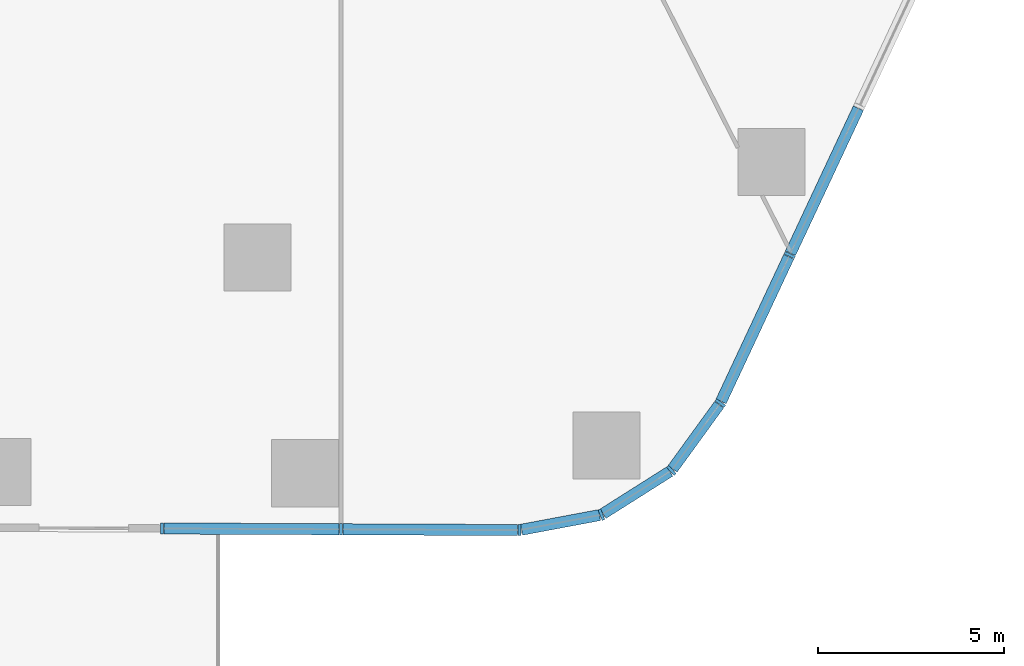
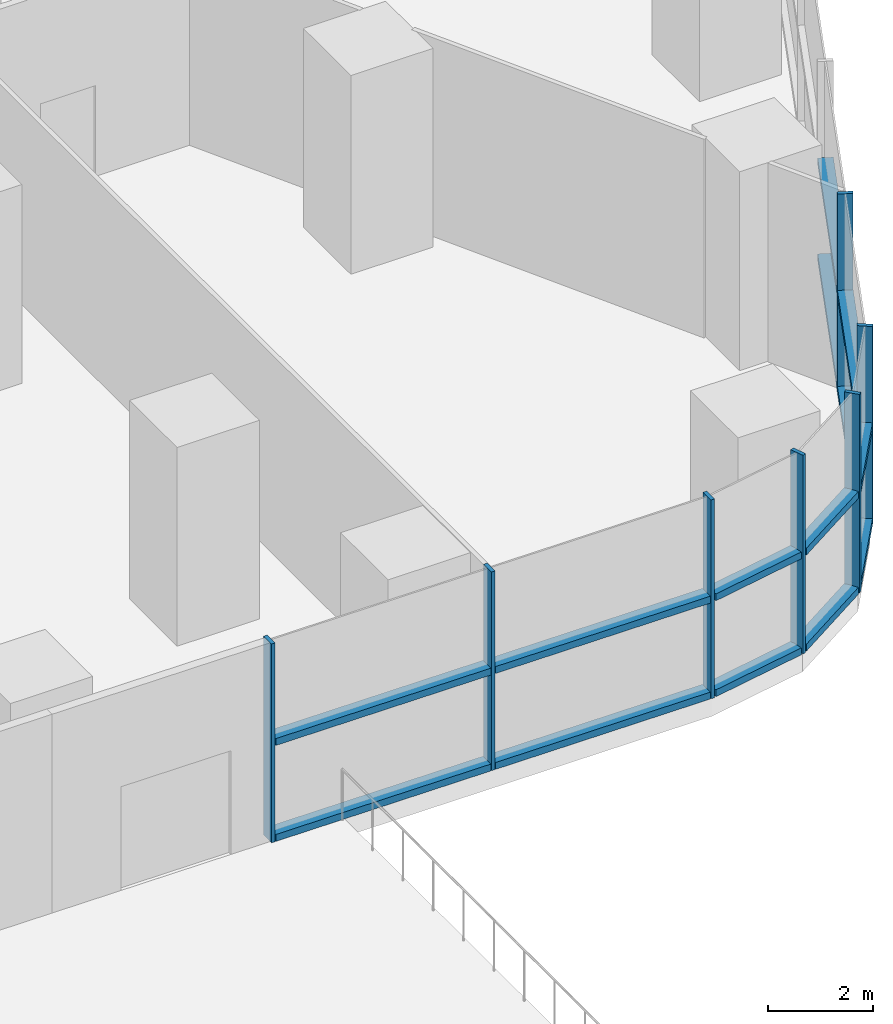
# One storey, part 3 of 15: 21 members, 3 elements without a shape of their own.
"""IFC4 building model written with IfcOpenShell, lengths in metres."""

from ifc_helpers import new_model, si_unit, direction, frame, origin, origin_2d, place, context, subcontext, project, spatial, rectangle, extrude, material, layer, layer_set, material_profile, profile_set, type_object, element, aggregate, save


model = new_model("IFC4")

# Units and contexts
model_context = context("Model", 3, precision=1e-05, world=origin(), true_north=direction((0.0, 1.0)))
body_context = subcontext(model_context, "Body", "Model", "MODEL_VIEW")
ifc_project = project(units=[si_unit("LENGTHUNIT", "METRE"), si_unit("AREAUNIT", "SQUARE_METRE"), si_unit("VOLUMEUNIT", "CUBIC_METRE"), si_unit("PLANEANGLEUNIT", "RADIAN"), si_unit("MASSUNIT", "GRAM", prefix="KILO")], contexts=[model_context])

# Site, building, storey
site_placement = place(None, origin())
site = spatial("IfcSite", under=ifc_project, at=site_placement, CompositionType="ELEMENT")
building_placement = place(site_placement, origin())
building = spatial("IfcBuilding", under=site, at=building_placement, Name="Dongbaek Canopy Tower", CompositionType="ELEMENT")
storey_placement = place(building_placement, frame((0.0, 0.0, 33.0)))
storey = spatial("IfcBuildingStorey", under=building, at=storey_placement, Name="L04", CompositionType="ELEMENT", Elevation=33.0)

# Curtain wall, members
ifc_material_1 = material(Name="Aluminium 6063-T6 pale anodised", Category="aluminium")
ifc_layer = layer(ifc_material_1, 0.300048828125)
ifc_layer_set = layer_set([ifc_layer], Name="CW-2 podium hall curtain wall")
curtain_wall_type = type_object("IfcCurtainWallType", Name="CW-2 podium hall curtain wall", PredefinedType="NOTDEFINED", material=ifc_layer_set)
curtain_wall_1_placement = place(storey_placement, origin())
curtain_wall_1 = element("IfcCurtainWall", 1, at=curtain_wall_1_placement, inside=storey, type_object=curtain_wall_type, Name="CW-2 curtain wall F4.2", PredefinedType="NOTDEFINED")
ifc_material_2 = material(Name="Aluminium 6063-T6 pale anodised", Category="aluminium")
ifc_material_profile_1 = material_profile(ifc_material_2, rectangle(XDim=0.300048828125, YDim=0.080078125, at=origin_2d()), Name="CW-2 mullion 80 x 300")
ifc_profile_set_1 = profile_set([ifc_material_profile_1], Name="Aluminium 6063-T6 pale anodised")
member_type_1 = type_object("IfcMemberType", Name="CW-2 mullion 80 x 300", PredefinedType="MULLION", material=ifc_profile_set_1)
member_1_placement = place(storey_placement, frame((6.44287109375, -34.273193359375, 0.0), z_axis=(0.0, 0.0, 1.0), x_axis=(-0.004466138597, -0.999990026753, 0.0)))
member_1 = element("IfcMember", 2, at=member_1_placement, type_object=member_type_1, Name="CW-2 mullion F4.2.1", PredefinedType="MULLION", context=body_context, shape_type="SweptSolid", body=[
    extrude(rectangle(XDim=0.300048828125, YDim=0.080078125, at=origin_2d()), origin(), (0.0, 0.0, 1.0), 4.60009765625),
])
member_2_placement = place(storey_placement, frame((11.244384765625, -34.294677734375, 0.0), z_axis=(0.0, 0.0, 1.0), x_axis=(-0.004466138597, -0.999990026753, 0.0)))
member_2 = element("IfcMember", 3, at=member_2_placement, type_object=member_type_1, Name="CW-2 mullion F4.2.2", PredefinedType="MULLION", context=body_context, shape_type="SweptSolid", body=[
    extrude(rectangle(XDim=0.300048828125, YDim=0.080078125, at=origin_2d()), origin(), (0.0, 0.0, 1.0), 4.60009765625),
])
member_3_placement = place(storey_placement, frame((16.03662109375, -34.31591796875, 0.0), z_axis=(0.0, 0.0, 1.0), x_axis=(-0.004466138597, -0.999990026753, 0.0)))
member_3 = element("IfcMember", 4, at=member_3_placement, type_object=member_type_1, Name="CW-2 mullion F4.2.3", PredefinedType="MULLION", context=body_context, shape_type="SweptSolid", body=[
    extrude(rectangle(XDim=0.300048828125, YDim=0.080078125, at=origin_2d()), origin(), (0.0, 0.0, 1.0), 4.60009765625),
])

curtain_wall_2_placement = place(storey_placement, origin())
curtain_wall_2 = element("IfcCurtainWall", 5, at=curtain_wall_2_placement, inside=storey, type_object=curtain_wall_type, Name="CW-2 curtain wall K4.1", PredefinedType="NOTDEFINED")
member_4_placement = place(storey_placement, frame((18.23095703125, -33.9052734375, 0.0), z_axis=(0.0, 0.0, 1.0), x_axis=(0.365922378018, -0.930645374601, 0.0)))
member_4 = element("IfcMember", 6, at=member_4_placement, type_object=member_type_1, Name="CW-2 mullion K4.1.2", PredefinedType="MULLION", context=body_context, shape_type="SweptSolid", body=[
    extrude(rectangle(XDim=0.300048828125, YDim=0.080078125, at=origin_2d()), origin(), (0.0, 0.0, 1.0), 4.60009765625),
])
member_5_placement = place(storey_placement, frame((20.10888671875, -32.716796875, 0.0), z_axis=(0.0, 0.0, 1.0), x_axis=(0.684351137635, -0.729152604342, 0.0)))
member_5 = element("IfcMember", 7, at=member_5_placement, type_object=member_type_1, Name="CW-2 mullion K4.1.3", PredefinedType="MULLION", context=body_context, shape_type="SweptSolid", body=[
    extrude(rectangle(XDim=0.300048828125, YDim=0.080078125, at=origin_2d()), origin(), (0.0, 0.0, 1.0), 4.60009765625),
])
member_6_placement = place(storey_placement, frame((21.419677734375, -30.909912109375, 0.0), z_axis=(0.0, 0.0, 1.0), x_axis=(0.809475494092, -0.587153663418, 0.0)))
member_6 = element("IfcMember", 8, at=member_6_placement, type_object=member_type_1, Name="CW-2 mullion K4.1.4", PredefinedType="MULLION", context=body_context, shape_type="SweptSolid", body=[
    extrude(rectangle(XDim=0.300048828125, YDim=0.080078125, at=origin_2d()), origin(), (0.0, 0.0, 1.0), 4.60009765625),
])

# Curtain wall, member
curtain_wall_3_placement = place(storey_placement, origin())
curtain_wall_3 = element("IfcCurtainWall", 9, at=curtain_wall_3_placement, inside=storey, type_object=curtain_wall_type, Name="CW-2 curtain wall F5.1", PredefinedType="NOTDEFINED")
member_7_placement = place(storey_placement, frame((23.281005859375, -26.935546875, 0.0), z_axis=(0.0, 0.0, 1.0), x_axis=(0.905604654395, -0.424122871275, 0.0)))
member_7 = element("IfcMember", 10, at=member_7_placement, type_object=member_type_1, Name="CW-2 mullion F5.1.2", PredefinedType="MULLION", context=body_context, shape_type="SweptSolid", body=[
    extrude(rectangle(XDim=0.300048828125, YDim=0.080078125, at=origin_2d()), origin(), (0.0, 0.0, 1.0), 4.60009765625),
])

# Member
ifc_material_3 = material(Name="Aluminium 6063-T6 pale anodised", Category="aluminium")
ifc_material_profile_2 = material_profile(ifc_material_3, rectangle(XDim=0.300048828125, YDim=0.159912109375, at=origin_2d()), Name="CW-2 transom 160 x 300")
ifc_profile_set_2 = profile_set([ifc_material_profile_2], Name="Aluminium 6063-T6 pale anodised")
member_type_2 = type_object("IfcMemberType", Name="CW-2 transom 160 x 300", PredefinedType="USERDEFINED", material=ifc_profile_set_2)
member_8_placement = place(storey_placement, frame((6.494873046875, -34.2734375, 0.080078125), z_axis=(0.999990012427, -0.004469345238, 0.0), x_axis=(0.004469345238, 0.999990012427, 0.0)))
member_8 = element("IfcMember", 11, at=member_8_placement, type_object=member_type_2, Name="CW-2 transom F4.2.1.1", ObjectType="TRANSOM", PredefinedType="USERDEFINED", context=body_context, shape_type="SweptSolid", body=[
    extrude(rectangle(XDim=0.300048828125, YDim=0.159912109375, at=origin_2d()), origin(), (0.0, 0.0, 1.0), 4.69775390625),
])

member_9_placement = place(storey_placement, frame((6.494873046875, -34.2734375, 2.300048828125), z_axis=(0.999990012427, -0.004469345238, 0.0), x_axis=(0.004469345238, 0.999990012427, 0.0)))
member_9 = element("IfcMember", 12, at=member_9_placement, type_object=member_type_2, Name="CW-2 transom F4.2.1.2", ObjectType="TRANSOM", PredefinedType="USERDEFINED", context=body_context, shape_type="SweptSolid", body=[
    extrude(rectangle(XDim=0.300048828125, YDim=0.159912109375, at=origin_2d()), origin(), (0.0, 0.0, 1.0), 4.69775390625),
])

member_10_placement = place(storey_placement, frame((11.29638671875, -34.294921875, 0.080078125), z_axis=(0.999990203672, -0.004426348347, 0.0), x_axis=(0.004426348347, 0.999990203672, 0.0)))
member_10 = element("IfcMember", 13, at=member_10_placement, type_object=member_type_2, Name="CW-2 transom F4.2.2.1", ObjectType="TRANSOM", PredefinedType="USERDEFINED", context=body_context, shape_type="SweptSolid", body=[
    extrude(rectangle(XDim=0.300048828125, YDim=0.159912109375, at=origin_2d()), origin(), (0.0, 0.0, 1.0), 4.688232421875),
])

member_11_placement = place(storey_placement, frame((11.29638671875, -34.294921875, 2.300048828125), z_axis=(0.999990203672, -0.004426348347, 0.0), x_axis=(0.004426348347, 0.999990203672, 0.0)))
member_11 = element("IfcMember", 14, at=member_11_placement, type_object=member_type_2, Name="CW-2 transom F4.2.2.2", ObjectType="TRANSOM", PredefinedType="USERDEFINED", context=body_context, shape_type="SweptSolid", body=[
    extrude(rectangle(XDim=0.300048828125, YDim=0.159912109375, at=origin_2d()), origin(), (0.0, 0.0, 1.0), 4.688232421875),
])

aggregate(curtain_wall_1, [member_1, member_2, member_3, member_8, member_9, member_10, member_11])

member_12_placement = place(storey_placement, frame((16.087890625, -34.306396484375, 0.080078125), z_axis=(0.982924096729, 0.184011467221, 0.0), x_axis=(-0.184011467221, 0.982924096729, 0.0)))
member_12 = element("IfcMember", 15, at=member_12_placement, type_object=member_type_2, Name="CW-2 transom K4.1.1.1", ObjectType="TRANSOM", PredefinedType="USERDEFINED", context=body_context, shape_type="SweptSolid", body=[
    extrude(rectangle(XDim=0.300048828125, YDim=0.159912109375, at=origin_2d()), origin(), (0.0, 0.0, 1.0), 2.128173828125),
])

member_13_placement = place(storey_placement, frame((16.087890625, -34.306396484375, 2.300048828125), z_axis=(0.982924096729, 0.184011467221, 0.0), x_axis=(-0.184011467221, 0.982924096729, 0.0)))
member_13 = element("IfcMember", 16, at=member_13_placement, type_object=member_type_2, Name="CW-2 transom K4.1.1.2", ObjectType="TRANSOM", PredefinedType="USERDEFINED", context=body_context, shape_type="SweptSolid", body=[
    extrude(rectangle(XDim=0.300048828125, YDim=0.159912109375, at=origin_2d()), origin(), (0.0, 0.0, 1.0), 2.128173828125),
])

member_14_placement = place(storey_placement, frame((18.27490234375, -33.87744140625, 0.080078125), z_axis=(0.845006566242, 0.534755928446, 0.0), x_axis=(-0.534755928446, 0.845006566242, 0.0)))
member_14 = element("IfcMember", 17, at=member_14_placement, type_object=member_type_2, Name="CW-2 transom K4.1.2.1", ObjectType="TRANSOM", PredefinedType="USERDEFINED", context=body_context, shape_type="SweptSolid", body=[
    extrude(rectangle(XDim=0.300048828125, YDim=0.159912109375, at=origin_2d()), origin(), (0.0, 0.0, 1.0), 2.118408203125),
])

member_15_placement = place(storey_placement, frame((18.27490234375, -33.87744140625, 2.300048828125), z_axis=(0.845006566242, 0.534755928446, 0.0), x_axis=(-0.534755928446, 0.845006566242, 0.0)))
member_15 = element("IfcMember", 18, at=member_15_placement, type_object=member_type_2, Name="CW-2 transom K4.1.2.2", ObjectType="TRANSOM", PredefinedType="USERDEFINED", context=body_context, shape_type="SweptSolid", body=[
    extrude(rectangle(XDim=0.300048828125, YDim=0.159912109375, at=origin_2d()), origin(), (0.0, 0.0, 1.0), 2.118408203125),
])

member_16_placement = place(storey_placement, frame((20.1396484375, -32.6748046875, 0.080078125), z_axis=(0.587093507352, 0.809519124928, 0.0), x_axis=(-0.809519124928, 0.587093507352, 0.0)))
member_16 = element("IfcMember", 19, at=member_16_placement, type_object=member_type_2, Name="CW-2 transom K4.1.3.1", ObjectType="TRANSOM", PredefinedType="USERDEFINED", context=body_context, shape_type="SweptSolid", body=[
    extrude(rectangle(XDim=0.300048828125, YDim=0.159912109375, at=origin_2d()), origin(), (0.0, 0.0, 1.0), 2.12841796875),
])

member_17_placement = place(storey_placement, frame((20.1396484375, -32.6748046875, 2.300048828125), z_axis=(0.587093507352, 0.809519124928, 0.0), x_axis=(-0.809519124928, 0.587093507352, 0.0)))
member_17 = element("IfcMember", 20, at=member_17_placement, type_object=member_type_2, Name="CW-2 transom K4.1.3.2", ObjectType="TRANSOM", PredefinedType="USERDEFINED", context=body_context, shape_type="SweptSolid", body=[
    extrude(rectangle(XDim=0.300048828125, YDim=0.159912109375, at=origin_2d()), origin(), (0.0, 0.0, 1.0), 2.12841796875),
])

aggregate(curtain_wall_2, [member_4, member_5, member_6, member_12, member_13, member_14, member_15, member_16, member_17])

member_18_placement = place(storey_placement, frame((21.441650390625, -30.86279296875, 0.080078125), z_axis=(0.424114132292, 0.905608747081, 0.0), x_axis=(-0.905608747081, 0.424114132292, 0.0)))
member_18 = element("IfcMember", 21, at=member_18_placement, type_object=member_type_2, Name="CW-2 transom F5.1.1.1", ObjectType="TRANSOM", PredefinedType="USERDEFINED", context=body_context, shape_type="SweptSolid", body=[
    extrude(rectangle(XDim=0.300048828125, YDim=0.159912109375, at=origin_2d()), origin(), (0.0, 0.0, 1.0), 4.28466796875),
])

member_19_placement = place(storey_placement, frame((21.441650390625, -30.86279296875, 2.300048828125), z_axis=(0.424114132292, 0.905608747081, 0.0), x_axis=(-0.905608747081, 0.424114132292, 0.0)))
member_19 = element("IfcMember", 22, at=member_19_placement, type_object=member_type_2, Name="CW-2 transom F5.1.1.2", ObjectType="TRANSOM", PredefinedType="USERDEFINED", context=body_context, shape_type="SweptSolid", body=[
    extrude(rectangle(XDim=0.300048828125, YDim=0.159912109375, at=origin_2d()), origin(), (0.0, 0.0, 1.0), 4.28466796875),
])

member_20_placement = place(storey_placement, frame((23.302978515625, -26.888427734375, 0.080078125), z_axis=(0.424142520697, 0.905595451698, 0.0), x_axis=(-0.905595451698, 0.424142520697, 0.0)))
member_20 = element("IfcMember", 23, at=member_20_placement, type_object=member_type_2, Name="CW-2 transom F5.1.2.1", ObjectType="TRANSOM", PredefinedType="USERDEFINED", context=body_context, shape_type="SweptSolid", body=[
    extrude(rectangle(XDim=0.300048828125, YDim=0.159912109375, at=origin_2d()), origin(), (0.0, 0.0, 1.0), 4.2939453125),
])

member_21_placement = place(storey_placement, frame((23.302978515625, -26.888427734375, 2.300048828125), z_axis=(0.424142520697, 0.905595451698, 0.0), x_axis=(-0.905595451698, 0.424142520697, 0.0)))
member_21 = element("IfcMember", 24, at=member_21_placement, type_object=member_type_2, Name="CW-2 transom F5.1.2.2", ObjectType="TRANSOM", PredefinedType="USERDEFINED", context=body_context, shape_type="SweptSolid", body=[
    extrude(rectangle(XDim=0.300048828125, YDim=0.159912109375, at=origin_2d()), origin(), (0.0, 0.0, 1.0), 4.2939453125),
])

aggregate(curtain_wall_3, [member_7, member_18, member_19, member_20, member_21])

save(model, "model.ifc")
